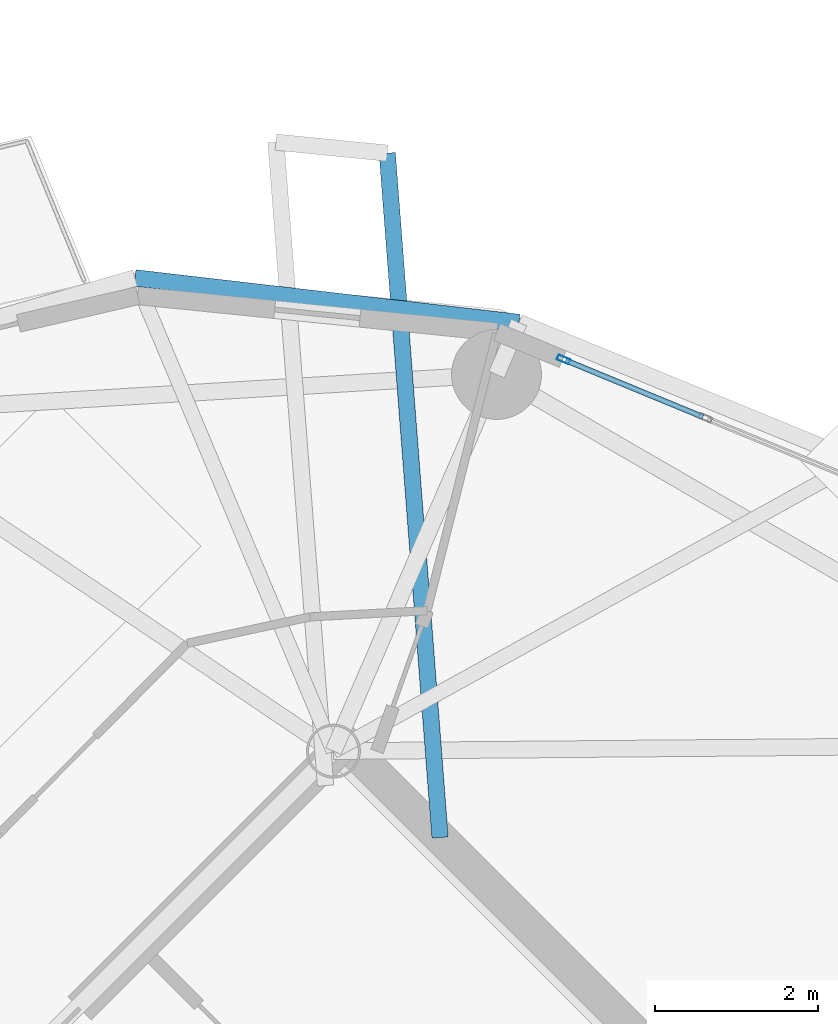
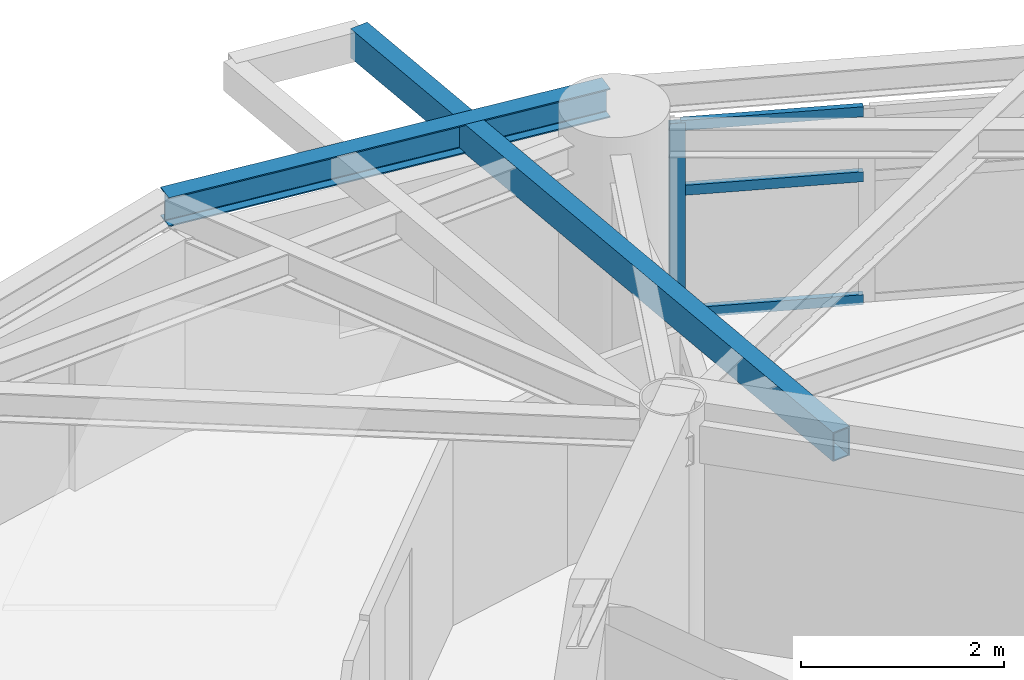
# One storey, part 5 of 16: 4 members, 2 beams, 1 element without a shape of its own.
"""IFC4 building model written with IfcOpenShell, lengths in metres."""

import ifcopenshell
import ifcopenshell.guid

model = None  # the IFC model being written
_history = None  # IfcOwnerHistory: only IFC2X3 demands one
_inside = {}  # id of a spatial element -> (the spatial element, [elements in it])
_under = {}  # id of a project, library or spatial element -> (it, [spatial elements below it])
_declared = {}  # id of a project -> (the project, [libraries it declares])
_typed = {}  # id of a type object -> (the type object, [elements of that type])
_made_of = {}  # id of a material, layer set ... -> (it, [elements and type objects made of it])


def new_model(schema):
    """Start an empty IFC model of exactly this schema.

    Asked for "IFC4X3", IfcOpenShell would pick the latest addendum, in which some entities
    have other attributes; the version numbers below select the first issue.
    IFC2X3 requires an IfcOwnerHistory on every rooted entity: one is made here for all.
    """
    global model, _history
    if schema == "IFC4X3":
        model = ifcopenshell.file(schema_version=(4, 3, 0, 0))
    else:
        model = ifcopenshell.file(schema=schema)
    _inside.clear()
    _under.clear()
    _declared.clear()
    _typed.clear()
    _made_of.clear()
    _history = None
    if model.schema == "IFC2X3":
        org = make("IfcOrganization", Name="unknown")
        user = make(
            "IfcPersonAndOrganization",
            ThePerson=make("IfcPerson", FamilyName="unknown"),
            TheOrganization=org,
        )
        app = make(
            "IfcApplication",
            ApplicationDeveloper=org,
            Version="unknown",
            ApplicationFullName="unknown",
            ApplicationIdentifier="unknown",
        )
        _history = make(
            "IfcOwnerHistory",
            OwningUser=user,
            OwningApplication=app,
            ChangeAction="ADDED",
            CreationDate=0,
        )
    return model


def make(cls, **values):
    """One entity of the class cls with the attributes given. An attribute that is None is left unset."""
    return model.create_entity(
        cls, **{name: value for name, value in values.items() if value is not None}
    )


def rooted(cls, **values):
    """An entity with a GlobalId (a new one), such as an element, a storey or a relation."""
    return make(cls, GlobalId=ifcopenshell.guid.new(), OwnerHistory=_history, **values)


def si_unit(unit_type, name, prefix=None):
    """IfcSIUnit, for example si_unit("LENGTHUNIT", "METRE", prefix="MILLI")."""
    return make("IfcSIUnit", UnitType=unit_type, Prefix=prefix, Name=name)


def assignment(units):
    """IfcUnitAssignment: the units of a project."""
    return None if units is None else make("IfcUnitAssignment", Units=units)


def point(xyz):
    """IfcCartesianPoint."""
    return None if xyz is None else make("IfcCartesianPoint", Coordinates=xyz)


def direction(xyz):
    """IfcDirection."""
    return None if xyz is None else make("IfcDirection", DirectionRatios=xyz)


def frame(location, z_axis=None, x_axis=None):
    """IfcAxis2Placement3D, a coordinate frame: its origin and axes. An axis left out is left unset."""
    return make(
        "IfcAxis2Placement3D",
        Location=point(location),
        Axis=direction(z_axis),
        RefDirection=direction(x_axis),
    )


def frame_2d(location, x_axis=None):
    """IfcAxis2Placement2D, a coordinate frame in the plane: its origin and x axis."""
    return make(
        "IfcAxis2Placement2D", Location=point(location), RefDirection=direction(x_axis)
    )


def origin():
    """The frame at (0, 0, 0) with its axes left unset."""
    return frame((0.0, 0.0, 0.0))


def origin_2d():
    """The frame at (0, 0) in the plane with its x axis left unset."""
    return frame_2d((0.0, 0.0))


def place(relative_to, where):
    """IfcLocalPlacement: puts the frame where relative to a parent placement (None: the world)."""
    return make(
        "IfcLocalPlacement", PlacementRelTo=relative_to, RelativePlacement=where
    )


def context(
    kind, dimensions, precision=None, world=None, true_north=None, identifier=None
):
    """IfcGeometricRepresentationContext, for example the 3D "Model" context."""
    return make(
        "IfcGeometricRepresentationContext",
        ContextIdentifier=identifier,
        ContextType=kind,
        CoordinateSpaceDimension=dimensions,
        Precision=precision,
        WorldCoordinateSystem=world,
        TrueNorth=true_north,
    )


def subcontext(parent, identifier, kind, view, scale=None):
    """IfcGeometricRepresentationSubContext, for example "Body" below "Model"."""
    return make(
        "IfcGeometricRepresentationSubContext",
        ContextIdentifier=identifier,
        ContextType=kind,
        ParentContext=parent,
        TargetScale=scale,
        TargetView=view,
    )


def project(units=None, contexts=None):
    """IfcProject with its units and contexts."""
    return rooted(
        "IfcProject",
        Name="project",
        RepresentationContexts=contexts,
        UnitsInContext=assignment(units),
    )


def spatial(cls, under=None, at=None, **own):
    """A site, building, storey or space (cls), placed at a placement, below another one or the project."""
    s = rooted(cls, ObjectPlacement=at, **own)
    if under is not None:
        _under.setdefault(under.id(), (under, []))[1].append(s)
    return s


def profile(cls, at=None, kind="AREA", **sizes):
    """A parametric profile (cls). Its sizes go by their IFC names, for example OverallWidth=200.0."""
    return make(cls, ProfileType=kind, Position=at, **sizes)


def hollow_rectangle(**sizes):
    """IfcRectangleHollowProfileDef."""
    return profile("IfcRectangleHollowProfileDef", **sizes)


def i_section(**sizes):
    """IfcIShapeProfileDef."""
    return profile("IfcIShapeProfileDef", **sizes)


def extrude(swept, where, along, depth):
    """IfcExtrudedAreaSolid: the profile swept, set in the frame where, extruded along a direction by depth."""
    return make(
        "IfcExtrudedAreaSolid",
        SweptArea=swept,
        Position=where,
        ExtrudedDirection=direction(along),
        Depth=depth,
    )


def shape(context_of_items, identifier, shape_type, items):
    """IfcShapeRepresentation: the items that make up one representation, for example the "Body"."""
    return make(
        "IfcShapeRepresentation",
        ContextOfItems=context_of_items,
        RepresentationIdentifier=identifier,
        RepresentationType=shape_type,
        Items=items,
    )


def material(Name=None, Category=None):
    """IfcMaterial."""
    return make("IfcMaterial", Name=Name, Category=Category)


def layer(
    of_material, thickness, ventilated=None, Name=None, Category=None, Priority=None
):
    """IfcMaterialLayer: one layer of a wall or slab, of a material (None: an air gap)."""
    return make(
        "IfcMaterialLayer",
        Material=of_material,
        LayerThickness=thickness,
        IsVentilated=ventilated,
        Name=Name,
        Category=Category,
        Priority=Priority,
    )


def layer_set(layers, Name=None):
    """IfcMaterialLayerSet."""
    return make("IfcMaterialLayerSet", MaterialLayers=layers, LayerSetName=Name)


def material_profile(
    of_material, cross_section, Name=None, Category=None, Priority=None
):
    """IfcMaterialProfile: a cross section and its material."""
    return make(
        "IfcMaterialProfile",
        Name=Name,
        Material=of_material,
        Profile=cross_section,
        Priority=Priority,
        Category=Category,
    )


def profile_set(profiles, Name=None, composite=None):
    """IfcMaterialProfileSet."""
    return make(
        "IfcMaterialProfileSet",
        Name=Name,
        MaterialProfiles=profiles,
        CompositeProfile=composite,
    )


def made_of(thing, what):
    """Note that an element or type object is made of a material, layer set ...; save() writes the relation."""
    if what is not None:
        _made_of.setdefault(what.id(), (what, []))[1].append(thing)
    return thing


def type_object(cls, material=None, **own):
    """A type object (cls), such as IfcWallType, which elements share."""
    return made_of(rooted(cls, **own), material)


def element(
    cls,
    number,
    at=None,
    inside=None,
    cuts=None,
    type_object=None,
    material=None,
    context=None,
    identifier="Body",
    shape_type=None,
    held_by="IfcProductDefinitionShape",
    body=None,
    shapes=None,
    **own,
):
    """One element of the class cls, such as IfcWall. Its Tag is "e" and its number.

    at: its placement. inside: the storey or other place that contains it. cuts: it is an
    opening in that element (IfcRelVoidsElement). A single representation is given by context,
    identifier, shape_type and body (its items); several are given by shapes. held_by: the class
    of the entity that holds the representations. save() writes the other relations.
    """
    e = rooted(cls, Tag="e%d" % number, ObjectPlacement=at, **own)
    if body is not None:
        shapes = [shape(context, identifier, shape_type, body)]
    if shapes is not None:
        e.Representation = make(held_by, Representations=shapes)
    if inside is not None:
        _inside.setdefault(inside.id(), (inside, []))[1].append(e)
    if cuts is not None:
        rooted(
            "IfcRelVoidsElement", RelatingBuildingElement=cuts, RelatedOpeningElement=e
        )
    if type_object is not None:
        _typed.setdefault(type_object.id(), (type_object, []))[1].append(e)
    return made_of(e, material)


def aggregate(whole, parts):
    """IfcRelAggregates: a whole, such as a stair, and the parts it consists of."""
    return rooted("IfcRelAggregates", RelatingObject=whole, RelatedObjects=parts)


def save(model, path):
    """Write the relations noted so far, then the file.

    IfcRelAggregates (storeys below a building ...), IfcRelContainedInSpatialStructure (elements
    in a storey), IfcRelDefinesByType, IfcRelAssociatesMaterial and IfcRelDeclares: one each for
    every whole, place, type object, material and project.
    """
    for whole, parts in _under.values():
        aggregate(whole, parts)
    for where, things in _inside.values():
        rooted(
            "IfcRelContainedInSpatialStructure",
            RelatedElements=things,
            RelatingStructure=where,
        )
    for kind, things in _typed.values():
        rooted("IfcRelDefinesByType", RelatedObjects=things, RelatingType=kind)
    for what, things in _made_of.values():
        rooted("IfcRelAssociatesMaterial", RelatedObjects=things, RelatingMaterial=what)
    for by, libraries in _declared.values():
        rooted("IfcRelDeclares", RelatingContext=by, RelatedDefinitions=libraries)
    model.write(path)


model = new_model("IFC4")

# Units and contexts
model_context = context("Model", 3, precision=1e-05, world=origin(), true_north=direction((0.0, 1.0)))
body_context = subcontext(model_context, "Body", "Model", "MODEL_VIEW")
ifc_project = project(units=[si_unit("LENGTHUNIT", "METRE"), si_unit("AREAUNIT", "SQUARE_METRE"), si_unit("VOLUMEUNIT", "CUBIC_METRE"), si_unit("PLANEANGLEUNIT", "RADIAN"), si_unit("MASSUNIT", "GRAM", prefix="KILO")], contexts=[model_context])

# Site, building, storey
site_placement = place(None, origin())
site = spatial("IfcSite", under=ifc_project, at=site_placement, CompositionType="ELEMENT")
building_placement = place(site_placement, origin())
building = spatial("IfcBuilding", under=site, at=building_placement, Name="Cununo Teusaquillo Station Towers", CompositionType="ELEMENT")
storey_placement = place(building_placement, frame((0.0, 0.0, 196.659912109375)))
storey = spatial("IfcBuildingStorey", under=building, at=storey_placement, Name="L62", CompositionType="ELEMENT", Elevation=196.659912109375)

# Beams
ifc_material_1 = material(Name="Steel EN 10025-2 S355J2", Category="steel")
ifc_material_profile_1 = material_profile(ifc_material_1, hollow_rectangle(XDim=0.199951171875, YDim=0.35009765625, WallThickness=0.013916015625, at=origin_2d()), Name="RHS 350x200x14")
ifc_profile_set_1 = profile_set([ifc_material_profile_1], Name="Steel EN 10025-2 S355J2")
beam_type_1 = type_object("IfcBeamType", Name="BM-BAL-CANT", PredefinedType="BEAM", material=ifc_profile_set_1)
beam_1_placement = place(storey_placement, frame((57.599853515625, 31.966064453125, 2.525146484375), z_axis=(-0.076963106063, 0.997033941401, 0.0), x_axis=(-0.997033941401, -0.076963106063, 0.0)))
element("IfcBeam", 1, at=beam_1_placement, inside=storey, type_object=beam_type_1, Name="L62 Tower B Balcony Cantilever Bracket 1A", PredefinedType="BEAM", context=body_context, shape_type="SweptSolid", body=[
    extrude(hollow_rectangle(XDim=0.199951171875, YDim=0.35009765625, WallThickness=0.013916015625, at=origin_2d()), origin(), (0.0, 0.0, 1.0), 8.403076171875),
])
ifc_material_2 = material(Name="Steel ASTM A572 Grade 50", Category="steel")
ifc_material_profile_2 = material_profile(ifc_material_2, i_section(OverallWidth=0.2041015625, OverallDepth=0.35009765625, WebThickness=0.008544921875, FlangeThickness=0.01513671875, FilletRadius=0.011962890625, at=origin_2d()), Name="W14X48")
ifc_profile_set_2 = profile_set([ifc_material_profile_2], Name="Steel ASTM A572 Grade 50")
beam_type_2 = type_object("IfcBeamType", Name="BM-RING-Z4", PredefinedType="SPANDREL", material=ifc_profile_set_2)
beam_2_placement = place(storey_placement, frame((58.56591796875, 38.27001953125, 2.525146484375), z_axis=(-0.993313022334, 0.115452326356, 0.0), x_axis=(-0.115452326356, -0.993313022334, 0.0)))
element("IfcBeam", 2, at=beam_2_placement, inside=storey, type_object=beam_type_2, Name="L62 Tower B Spandrel Ring Beam 03", PredefinedType="SPANDREL", context=body_context, shape_type="SweptSolid", body=[
    extrude(i_section(OverallWidth=0.2041015625, OverallDepth=0.35009765625, WebThickness=0.008544921875, FlangeThickness=0.01513671875, FilletRadius=0.011962890625, at=origin_2d()), origin(), (0.0, 0.0, 1.0), 4.732666015625),
])

# Curtain wall, members
ifc_material_3 = material(Name="Ceramic-fritted dark low-E double glazing", Category="glass")
ifc_layer = layer(ifc_material_3, 0.179931640625)
ifc_layer_set = layer_set([ifc_layer], Name="Ceramic-fritted dark low-E double glazing")
curtain_wall_type = type_object("IfcCurtainWallType", Name="CW-SYS-07", PredefinedType="USERDEFINED", material=ifc_layer_set)
curtain_wall_placement = place(storey_placement, origin())
curtain_wall = element("IfcCurtainWall", 3, at=curtain_wall_placement, inside=storey, type_object=curtain_wall_type, Name="L62 Tower B Facade Curtain Wall C01", ObjectType="FRITTED GLAZING", PredefinedType="USERDEFINED")
ifc_material_4 = material(Name="Anodised dark bronze aluminium EN AW-6063-T6", Category="aluminium")
ifc_material_profile_3 = material_profile(ifc_material_4, hollow_rectangle(XDim=0.06494140625, YDim=0.159912109375, WallThickness=0.00390625, at=origin_2d()), Name="CW-MULL-65x160")
ifc_profile_set_3 = profile_set([ifc_material_profile_3], Name="Anodised dark bronze aluminium EN AW-6063-T6")
member_type_1 = type_object("IfcMemberType", Name="CWM-160", PredefinedType="MULLION", material=ifc_profile_set_3)
member_1_placement = place(storey_placement, frame((59.111328125, 37.818359375, 0.0), z_axis=(0.0, 0.0, 1.0), x_axis=(0.381310513086, 0.924447019904, 0.0)))
member_1 = element("IfcMember", 4, at=member_1_placement, type_object=member_type_1, Name="CW-07 mullion 1", PredefinedType="MULLION", context=body_context, shape_type="SweptSolid", body=[
    extrude(hollow_rectangle(XDim=0.06494140625, YDim=0.159912109375, WallThickness=0.00390625, at=origin_2d()), origin(), (0.0, 0.0, 1.0), 2.322021484375),
])
ifc_material_5 = material(Name="Anodised dark bronze aluminium EN AW-6063-T6", Category="aluminium")
ifc_material_profile_4 = material_profile(ifc_material_5, hollow_rectangle(XDim=0.06494140625, YDim=0.1201171875, WallThickness=0.00390625, at=origin_2d()), Name="CW-TRAN-65x120")
ifc_profile_set_4 = profile_set([ifc_material_profile_4], Name="Anodised dark bronze aluminium EN AW-6063-T6")
member_type_2 = type_object("IfcMemberType", Name="CWT-120", PredefinedType="USERDEFINED", material=ifc_profile_set_4)
member_2_placement = place(storey_placement, frame((59.141357421875, 37.805908203125, 0.032470703125), z_axis=(0.924457591038, -0.381284883483, 0.0), x_axis=(0.381284883483, 0.924457591038, 0.0)))
member_2 = element("IfcMember", 5, at=member_2_placement, type_object=member_type_2, Name="CW-07 transom 1.1", ObjectType="TRANSOM", PredefinedType="USERDEFINED", context=body_context, shape_type="SweptSolid", body=[
    extrude(hollow_rectangle(XDim=0.06494140625, YDim=0.1201171875, WallThickness=0.00390625, at=origin_2d()), origin(), (0.0, 0.0, 1.0), 1.812744140625),
])
member_3_placement = place(storey_placement, frame((59.141357421875, 37.805908203125, 1.509033203125), z_axis=(0.924457591038, -0.381284883483, 0.0), x_axis=(0.381284883483, 0.924457591038, 0.0)))
member_3 = element("IfcMember", 6, at=member_3_placement, type_object=member_type_2, Name="CW-07 transom 1.2", ObjectType="TRANSOM", PredefinedType="USERDEFINED", context=body_context, shape_type="SweptSolid", body=[
    extrude(hollow_rectangle(XDim=0.06494140625, YDim=0.1201171875, WallThickness=0.00390625, at=origin_2d()), origin(), (0.0, 0.0, 1.0), 1.812744140625),
])
member_4_placement = place(storey_placement, frame((59.141357421875, 37.805908203125, 2.28955078125), z_axis=(0.924457591038, -0.381284883483, 0.0), x_axis=(0.381284883483, 0.924457591038, 0.0)))
member_4 = element("IfcMember", 7, at=member_4_placement, type_object=member_type_2, Name="CW-07 transom 1.3", ObjectType="TRANSOM", PredefinedType="USERDEFINED", context=body_context, shape_type="SweptSolid", body=[
    extrude(hollow_rectangle(XDim=0.06494140625, YDim=0.1201171875, WallThickness=0.00390625, at=origin_2d()), origin(), (0.0, 0.0, 1.0), 1.812744140625),
])
aggregate(curtain_wall, [member_1, member_2, member_3, member_4])

save(model, "model.ifc")
